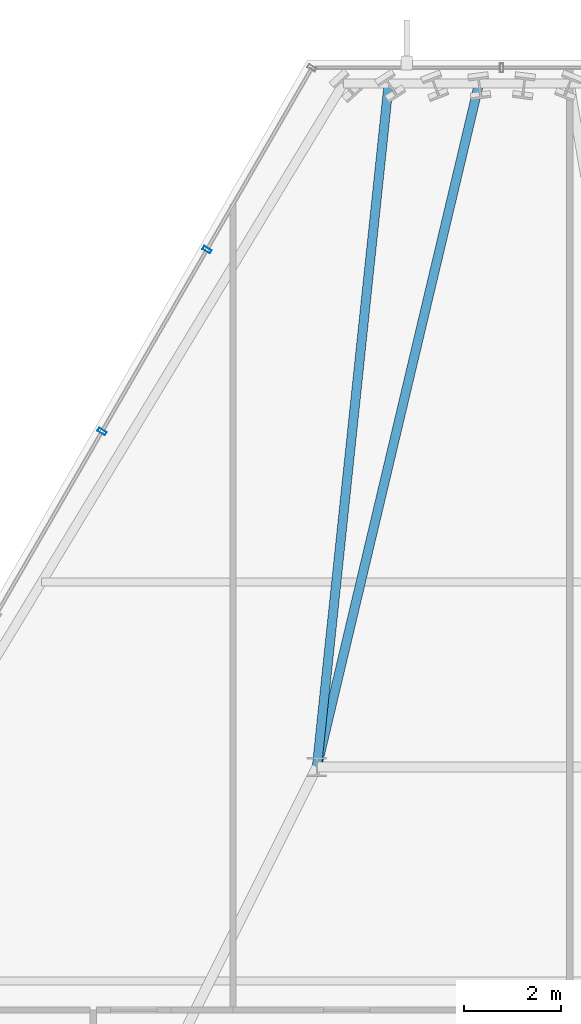
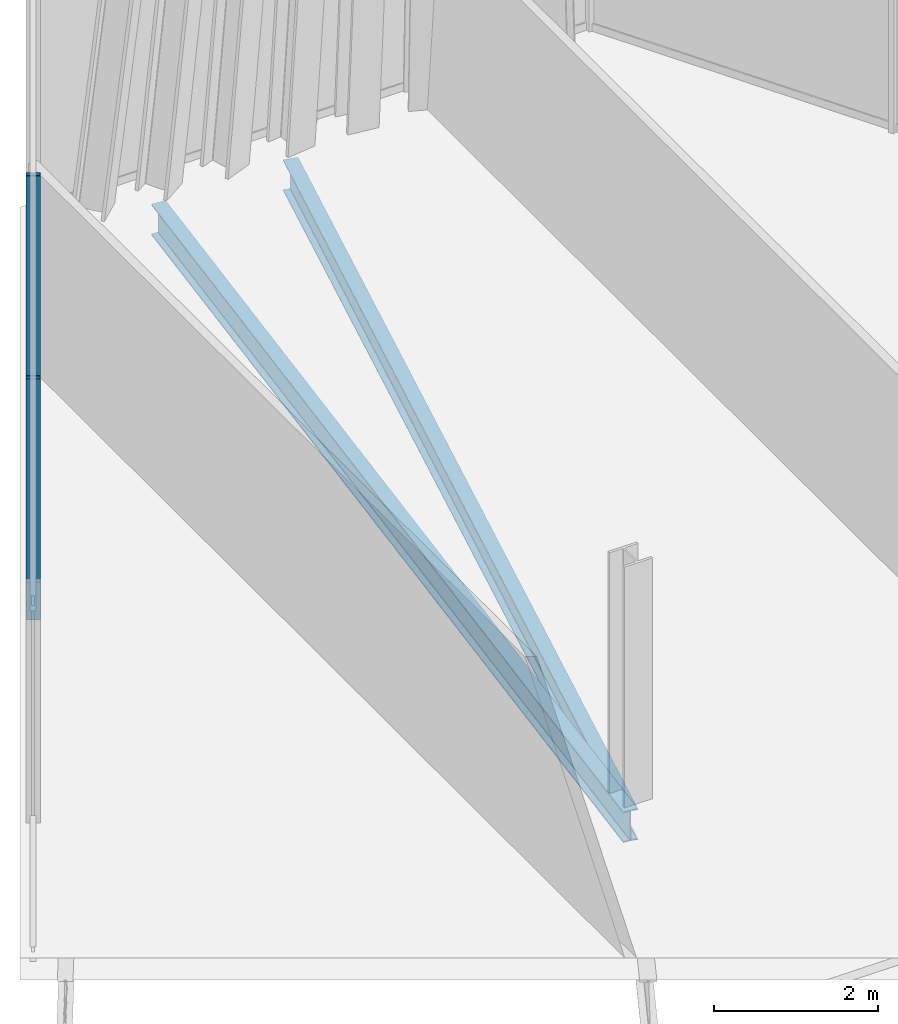
# One storey, part 20 of 30: 2 beams, 2 members, 1 element without a shape of its own.
"""IFC4 building model written with IfcOpenShell, lengths in metres."""

from ifc_helpers import new_model, si_unit, direction, frame, origin, origin_2d, place, context, subcontext, project, spatial, hollow_rectangle, i_section, extrude, material, layer, layer_set, material_profile, profile_set, type_object, element, aggregate, save


model = new_model("IFC4")

# Units and contexts
model_context = context("Model", 3, precision=1e-05, world=origin(), true_north=direction((0.0, 1.0)))
body_context = subcontext(model_context, "Body", "Model", "MODEL_VIEW")
ifc_project = project(units=[si_unit("LENGTHUNIT", "METRE"), si_unit("AREAUNIT", "SQUARE_METRE"), si_unit("VOLUMEUNIT", "CUBIC_METRE"), si_unit("PLANEANGLEUNIT", "RADIAN"), si_unit("MASSUNIT", "GRAM", prefix="KILO")], contexts=[model_context])

# Site, building, storey
site_placement = place(None, origin())
site = spatial("IfcSite", under=ifc_project, at=site_placement, CompositionType="ELEMENT")
building_placement = place(site_placement, origin())
building = spatial("IfcBuilding", under=site, at=building_placement, Name="Ndaravel Arena Tower", CompositionType="ELEMENT")
storey_placement = place(building_placement, frame((0.0, 0.0, 225.60009765625)))
storey = spatial("IfcBuildingStorey", under=building, at=storey_placement, Name="L54", CompositionType="ELEMENT", Elevation=225.60009765625)

# Beams
ifc_material_1 = material(Name="Steel S355", Category="steel")
ifc_material_profile_1 = material_profile(ifc_material_1, i_section(OverallWidth=0.19140625, OverallDepth=0.4599609375, WebThickness=0.010009765625, FlangeThickness=0.01611328125, FilletRadius=0.01025390625, at=origin_2d()), Name="UB 457x191x82")
ifc_profile_set_1 = profile_set([ifc_material_profile_1], Name="Steel S355")
beam_type = type_object("IfcBeamType", Name="BM-GIRD-UB457", PredefinedType="BEAM", material=ifc_profile_set_1)
beam_1_placement = place(storey_placement, frame((41.535400390625, 45.2578125, -0.4501953125), z_axis=(-0.23085668611, -0.972987764814, 0.0), x_axis=(0.972987764814, -0.23085668611, 0.0)))
element("IfcBeam", 1, at=beam_1_placement, inside=storey, type_object=beam_type, Name="L54 Radial Floor Girder FG-15", PredefinedType="BEAM", context=body_context, shape_type="SweptSolid", body=[
    extrude(i_section(OverallWidth=0.19140625, OverallDepth=0.4599609375, WebThickness=0.010009765625, FlangeThickness=0.01611328125, FilletRadius=0.01025390625, at=origin_2d()), origin(), (0.0, 0.0, 1.0), 14.4482421875),
])
beam_2_placement = place(storey_placement, frame((39.6767578125, 45.2578125, -0.4501953125), z_axis=(-0.104477094802, -0.99452729307, 0.0), x_axis=(0.99452729307, -0.104477094802, 0.0)))
element("IfcBeam", 2, at=beam_2_placement, inside=storey, type_object=beam_type, Name="L54 Radial Floor Girder FG-17", PredefinedType="BEAM", context=body_context, shape_type="SweptSolid", body=[
    extrude(i_section(OverallWidth=0.19140625, OverallDepth=0.4599609375, WebThickness=0.010009765625, FlangeThickness=0.01611328125, FilletRadius=0.01025390625, at=origin_2d()), origin(), (0.0, 0.0, 1.0), 14.13525390625),
])

# Curtain wall, members
ifc_material_2 = material(Name="Aluminium", Category="aluminium")
ifc_layer = layer(ifc_material_2, 0.179931640625)
ifc_layer_set = layer_set([ifc_layer], Name="Aluminium")
curtain_wall_type = type_object("IfcCurtainWallType", Name="CW-SYS-03", PredefinedType="NOTDEFINED", material=ifc_layer_set)
curtain_wall_placement = place(storey_placement, origin())
curtain_wall = element("IfcCurtainWall", 3, at=curtain_wall_placement, inside=storey, type_object=curtain_wall_type, Name="L54 Faceted Crystal Curtain Wall CW-L54-E05", PredefinedType="NOTDEFINED")
ifc_material_3 = material(Name="Aluminium", Category="aluminium")
ifc_material_profile_2 = material_profile(ifc_material_3, hollow_rectangle(XDim=0.074951171875, YDim=0.179931640625, WallThickness=0.00390625, at=origin_2d()), Name="CW MULLION 75x180x4")
ifc_profile_set_2 = profile_set([ifc_material_profile_2], Name="Aluminium")
member_type = type_object("IfcMemberType", Name="MEM-CW-MUL180", PredefinedType="MULLION", material=ifc_profile_set_2)
member_1_placement = place(storey_placement, frame((35.93896484375, 41.837890625, 0.0), z_axis=(0.0, 0.0, 1.0), x_axis=(-0.5, -0.866025403784, 0.0)))
member_1 = element("IfcMember", 4, at=member_1_placement, type_object=member_type, Name="CW-L54-E05 Mullion 01", PredefinedType="MULLION", context=body_context, shape_type="SweptSolid", body=[
    extrude(hollow_rectangle(XDim=0.074951171875, YDim=0.179931640625, WallThickness=0.00390625, at=origin_2d()), origin(), (0.0, 0.0, 1.0), 3.579833984375),
])
member_2_placement = place(storey_placement, frame((33.77978515625, 38.097900390625, 0.0), z_axis=(0.0, 0.0, 1.0), x_axis=(-0.5, -0.866025403784, 0.0)))
member_2 = element("IfcMember", 5, at=member_2_placement, type_object=member_type, Name="CW-L54-E05 Mullion 02", PredefinedType="MULLION", context=body_context, shape_type="SweptSolid", body=[
    extrude(hollow_rectangle(XDim=0.074951171875, YDim=0.179931640625, WallThickness=0.00390625, at=origin_2d()), origin(), (0.0, 0.0, 1.0), 3.579833984375),
])
aggregate(curtain_wall, [member_1, member_2])

save(model, "model.ifc")
